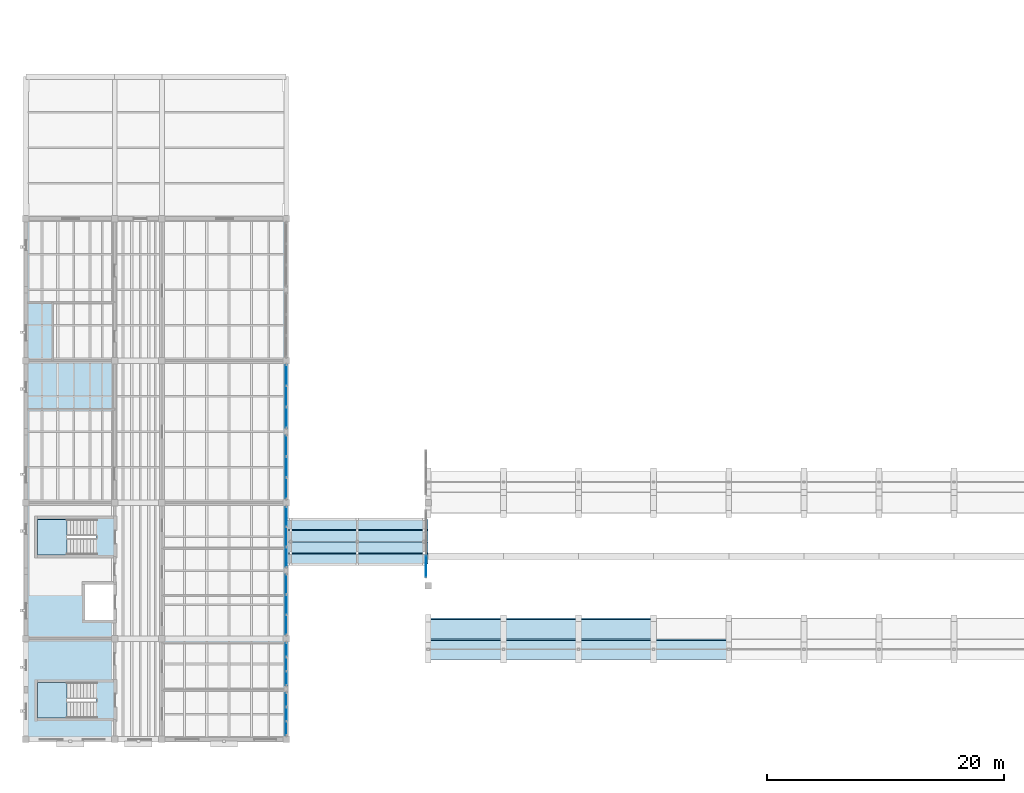
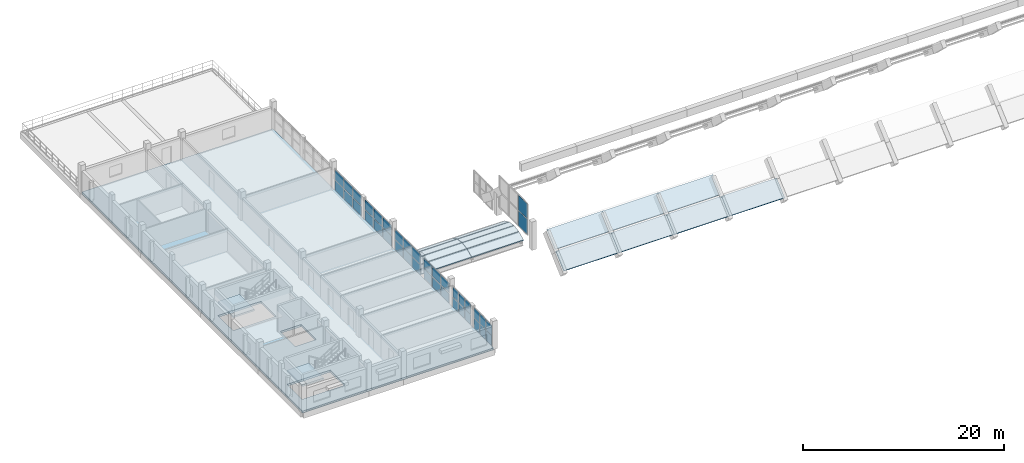
# One storey, part 23 of 48: 38 plates, 18 slabs, 9 elements without a shape of their own.
"""IFC4 building model written with IfcOpenShell, lengths in metres."""

from ifc_helpers import new_model, si_unit, direction, frame, origin, origin_2d, place, context, subcontext, project, spatial, polyline, rectangle, outline, extrude, material, layer, layer_set, type_object, element, aggregate, save


model = new_model("IFC4")

# Units and contexts
model_context = context("Model", 3, precision=1e-05, world=origin(), true_north=direction((0.0, 1.0)))
body_context = subcontext(model_context, "Body", "Model", "MODEL_VIEW")
ifc_project = project(units=[si_unit("LENGTHUNIT", "METRE"), si_unit("AREAUNIT", "SQUARE_METRE"), si_unit("VOLUMEUNIT", "CUBIC_METRE"), si_unit("PLANEANGLEUNIT", "RADIAN"), si_unit("MASSUNIT", "GRAM", prefix="KILO")], contexts=[model_context])

# Site, building, storey
site_placement = place(None, origin())
site = spatial("IfcSite", under=ifc_project, at=site_placement, CompositionType="ELEMENT")
building_placement = place(site_placement, origin())
building = spatial("IfcBuilding", under=site, at=building_placement, Name="Trellovar Central Fire Station", CompositionType="ELEMENT")
storey_placement = place(building_placement, frame((0.0, 0.0, 9.300048828125)))
storey = spatial("IfcBuildingStorey", under=building, at=storey_placement, Name="L03", CompositionType="ELEMENT", Elevation=9.300048828125)

# Curtain wall, plate
ifc_material_1 = material(Name="Thermally broken bronze anodized aluminum", Category="aluminium")
ifc_layer_1 = layer(ifc_material_1, 0.159912109375)
ifc_layer_set_1 = layer_set([ifc_layer_1], Name="Thermally broken bronze anodized aluminum")
curtain_wall_type_1 = type_object("IfcCurtainWallType", Name="CW-04", PredefinedType="NOTDEFINED", material=ifc_layer_set_1)
curtain_wall_1_placement = place(storey_placement, origin())
curtain_wall_1 = element("IfcCurtainWall", 1, at=curtain_wall_1_placement, inside=storey, type_object=curtain_wall_type_1, Name="V1 W ski-jump gable clerestory 2", PredefinedType="NOTDEFINED")
ifc_material_2 = material(Name="Double low-E solar control insulated glazing", Category="glass")
ifc_layer_2 = layer(ifc_material_2, 0.031982421875)
ifc_layer_set_2 = layer_set([ifc_layer_2], Name="Double low-E solar control insulated glazing")
plate_type_1 = type_object("IfcPlateType", Name="CWP-GL1", PredefinedType="CURTAIN_PANEL", material=ifc_layer_set_2)
plate_1_placement = place(storey_placement, frame((34.820068359375, 23.63330078125, 1.33984375), z_axis=(0.0, 0.0, 1.0), x_axis=(0.0, 1.0, 0.0)))
plate_1 = element("IfcPlate", 2, at=plate_1_placement, type_object=plate_type_1, Name="CW3-L03-0012 panel 1-1", PredefinedType="CURTAIN_PANEL", context=body_context, shape_type="SweptSolid", body=[
    extrude(rectangle(XDim=1.78662109375, YDim=0.031982421875, at=origin_2d()), origin(), (0.0, 0.0, 1.0), 1.820068359375),
])

ifc_material_3 = material(Name="Thermally broken bronze anodized aluminum", Category="aluminium")
ifc_layer_3 = layer(ifc_material_3, 0.159912109375)
ifc_layer_set_3 = layer_set([ifc_layer_3], Name="Thermally broken bronze anodized aluminum")
curtain_wall_type_2 = type_object("IfcCurtainWallType", Name="CW-01", PredefinedType="NOTDEFINED", material=ifc_layer_set_3)
curtain_wall_2_placement = place(storey_placement, origin())
curtain_wall_2 = element("IfcCurtainWall", 3, at=curtain_wall_2_placement, inside=storey, type_object=curtain_wall_type_2, Name="L03 curtain wall CW-1", PredefinedType="NOTDEFINED")
plate_2_placement = place(storey_placement, frame((23.0, 12.345703125, 1.31494140625), z_axis=(0.0, 0.0, 1.0), x_axis=(0.0, 1.0, 0.0)))
plate_2 = element("IfcPlate", 4, at=plate_2_placement, type_object=plate_type_1, Name="CW3-L03-0045 panel 3-2", PredefinedType="CURTAIN_PANEL", context=body_context, shape_type="SweptSolid", body=[
    extrude(rectangle(XDim=1.12841796875, YDim=0.031982421875, at=origin_2d()), origin(), (0.0, 0.0, 1.0), 1.195068359375),
])

curtain_wall_3_placement = place(storey_placement, origin())
curtain_wall_3 = element("IfcCurtainWall", 5, at=curtain_wall_3_placement, inside=storey, type_object=curtain_wall_type_2, Name="L03 curtain wall CW-1", PredefinedType="NOTDEFINED")
plate_3_placement = place(storey_placement, frame((23.0, 15.362548828125, 1.31494140625), z_axis=(0.0, 0.0, 1.0), x_axis=(0.0, 1.0, 0.0)))
plate_3 = element("IfcPlate", 6, at=plate_3_placement, type_object=plate_type_1, Name="CW3-L03-0046 panel 2-2", PredefinedType="CURTAIN_PANEL", context=body_context, shape_type="SweptSolid", body=[
    extrude(rectangle(XDim=1.12841796875, YDim=0.031982421875, at=origin_2d()), origin(), (0.0, 0.0, 1.0), 1.195068359375),
])

ifc_material_4 = material(Name="Thermally broken bronze anodized aluminum", Category="aluminium")
ifc_layer_4 = layer(ifc_material_4, 0.159912109375)
ifc_layer_set_4 = layer_set([ifc_layer_4], Name="Thermally broken bronze anodized aluminum")
curtain_wall_type_3 = type_object("IfcCurtainWallType", Name="CW-02", PredefinedType="NOTDEFINED", material=ifc_layer_set_4)
curtain_wall_4_placement = place(storey_placement, origin())
curtain_wall_4 = element("IfcCurtainWall", 7, at=curtain_wall_4_placement, inside=storey, type_object=curtain_wall_type_3, Name="L03 curtain wall CW-2", PredefinedType="NOTDEFINED")
plate_4_placement = place(storey_placement, frame((23.0, 18.67919921875, 1.31494140625), z_axis=(0.0, 0.0, 1.0), x_axis=(0.0, 1.0, 0.0)))
plate_4 = element("IfcPlate", 8, at=plate_4_placement, type_object=plate_type_1, Name="CW3-L03-0047 panel 1-2", PredefinedType="CURTAIN_PANEL", context=body_context, shape_type="SweptSolid", body=[
    extrude(rectangle(XDim=1.62841796875, YDim=0.031982421875, at=origin_2d()), origin(), (0.0, 0.0, 1.0), 1.195068359375),
])

curtain_wall_5_placement = place(storey_placement, origin())
curtain_wall_5 = element("IfcCurtainWall", 9, at=curtain_wall_5_placement, inside=storey, type_object=curtain_wall_type_3, Name="L03 curtain wall CW-2", PredefinedType="NOTDEFINED")
plate_5_placement = place(storey_placement, frame((23.0, 33.80419921875, 1.31494140625), z_axis=(0.0, 0.0, 1.0), x_axis=(0.0, 1.0, 0.0)))
plate_5 = element("IfcPlate", 10, at=plate_5_placement, type_object=plate_type_1, Name="CW3-L03-0049 panel 3-2", PredefinedType="CURTAIN_PANEL", context=body_context, shape_type="SweptSolid", body=[
    extrude(rectangle(XDim=1.711669921875, YDim=0.031982421875, at=origin_2d()), origin(), (0.0, 0.0, 1.0), 1.195068359375),
])

curtain_wall_6_placement = place(storey_placement, origin())
curtain_wall_6 = element("IfcCurtainWall", 11, at=curtain_wall_6_placement, inside=storey, type_object=curtain_wall_type_3, Name="L03 curtain wall CW-2", PredefinedType="NOTDEFINED")
plate_6_placement = place(storey_placement, frame((23.0, 37.987548828125, 1.31494140625), z_axis=(0.0, 0.0, 1.0), x_axis=(0.0, 1.0, 0.0)))
plate_6 = element("IfcPlate", 12, at=plate_6_placement, type_object=plate_type_1, Name="CW3-L03-0050 panel 2-2", PredefinedType="CURTAIN_PANEL", context=body_context, shape_type="SweptSolid", body=[
    extrude(rectangle(XDim=1.711669921875, YDim=0.031982421875, at=origin_2d()), origin(), (0.0, 0.0, 1.0), 1.195068359375),
])

# Plate
ifc_material_5 = material(Name="Double low-E solar control insulated glazing", Category="glass")
ifc_layer_5 = layer(ifc_material_5, 0.035888671875)
ifc_layer_set_5 = layer_set([ifc_layer_5], Name="Double low-E solar control insulated glazing")
plate_type_2 = type_object("IfcPlateType", Name="CWP-GL2", PredefinedType="CURTAIN_PANEL", material=ifc_layer_set_5)
plate_7_placement = place(storey_placement, frame((34.820068359375, 23.63330078125, 3.23974609375), z_axis=(0.0, 0.0, 1.0), x_axis=(0.0, 1.0, 0.0)))
plate_7 = element("IfcPlate", 13, at=plate_7_placement, type_object=plate_type_2, Name="CW3-L03-0012 panel 1-2", PredefinedType="CURTAIN_PANEL", context=body_context, shape_type="SweptSolid", body=[
    extrude(rectangle(XDim=1.78662109375, YDim=0.035888671875, at=origin_2d()), origin(), (0.0, 0.0, 1.0), 1.820068359375),
])

aggregate(curtain_wall_1, [plate_1, plate_7])

plate_8_placement = place(storey_placement, frame((23.0, 16.57080078125, 1.31494140625), z_axis=(0.0, 0.0, 1.0), x_axis=(0.0, 1.0, 0.0)))
plate_8 = element("IfcPlate", 14, at=plate_8_placement, type_object=plate_type_2, Name="CW3-L03-0046 panel 3-2", PredefinedType="CURTAIN_PANEL", context=body_context, shape_type="SweptSolid", body=[
    extrude(rectangle(XDim=1.12841796875, YDim=0.035888671875, at=origin_2d()), origin(), (0.0, 0.0, 1.0), 1.195068359375),
])

plate_9_placement = place(storey_placement, frame((23.0, 20.387451171875, 1.31494140625), z_axis=(0.0, 0.0, 1.0), x_axis=(0.0, 1.0, 0.0)))
plate_9 = element("IfcPlate", 15, at=plate_9_placement, type_object=plate_type_2, Name="CW3-L03-0047 panel 2-2", PredefinedType="CURTAIN_PANEL", context=body_context, shape_type="SweptSolid", body=[
    extrude(rectangle(XDim=1.62841796875, YDim=0.035888671875, at=origin_2d()), origin(), (0.0, 0.0, 1.0), 1.195068359375),
])

# Curtain wall, plate
curtain_wall_7_placement = place(storey_placement, origin())
curtain_wall_7 = element("IfcCurtainWall", 16, at=curtain_wall_7_placement, inside=storey, type_object=curtain_wall_type_3, Name="L03 curtain wall CW-2", PredefinedType="NOTDEFINED")
plate_10_placement = place(storey_placement, frame((23.0, 24.404296875, 1.31494140625), z_axis=(0.0, 0.0, 1.0), x_axis=(0.0, 1.0, 0.0)))
plate_10 = element("IfcPlate", 17, at=plate_10_placement, type_object=plate_type_2, Name="CW3-L03-0048 panel 1-2", PredefinedType="CURTAIN_PANEL", context=body_context, shape_type="SweptSolid", body=[
    extrude(rectangle(XDim=1.62841796875, YDim=0.035888671875, at=origin_2d()), origin(), (0.0, 0.0, 1.0), 1.195068359375),
])

# Plate
plate_11_placement = place(storey_placement, frame((23.0, 39.779052734375, 1.31494140625), z_axis=(0.0, 0.0, 1.0), x_axis=(0.0, 1.0, 0.0)))
plate_11 = element("IfcPlate", 18, at=plate_11_placement, type_object=plate_type_2, Name="CW3-L03-0050 panel 3-2", PredefinedType="CURTAIN_PANEL", context=body_context, shape_type="SweptSolid", body=[
    extrude(rectangle(XDim=1.711669921875, YDim=0.035888671875, at=origin_2d()), origin(), (0.0, 0.0, 1.0), 1.195068359375),
])

ifc_material_6 = material(Name="Double low-E solar control insulated glazing", Category="glass")
ifc_layer_6 = layer(ifc_material_6, 0.033935546875)
ifc_layer_set_6 = layer_set([ifc_layer_6], Name="Double low-E solar control insulated glazing")
plate_type_3 = type_object("IfcPlateType", Name="CWP-GL3", PredefinedType="CURTAIN_PANEL", material=ifc_layer_set_6)
plate_12_placement = place(storey_placement, frame((23.0, 9.92919921875, 1.31494140625), z_axis=(0.0, 0.0, 1.0), x_axis=(0.0, 1.0, 0.0)))
plate_12 = element("IfcPlate", 19, at=plate_12_placement, type_object=plate_type_3, Name="CW3-L03-0045 panel 1-2", PredefinedType="CURTAIN_PANEL", context=body_context, shape_type="SweptSolid", body=[
    extrude(rectangle(XDim=1.12841796875, YDim=0.033935546875, at=origin_2d()), origin(), (0.0, 0.0, 1.0), 1.195068359375),
])

plate_13_placement = place(storey_placement, frame((23.0, 22.095703125, 1.31494140625), z_axis=(0.0, 0.0, 1.0), x_axis=(0.0, 1.0, 0.0)))
plate_13 = element("IfcPlate", 20, at=plate_13_placement, type_object=plate_type_3, Name="CW3-L03-0047 panel 3-2", PredefinedType="CURTAIN_PANEL", context=body_context, shape_type="SweptSolid", body=[
    extrude(rectangle(XDim=1.62841796875, YDim=0.033935546875, at=origin_2d()), origin(), (0.0, 0.0, 1.0), 1.195068359375),
])

plate_14_placement = place(storey_placement, frame((23.0, 26.112548828125, 1.31494140625), z_axis=(0.0, 0.0, 1.0), x_axis=(0.0, 1.0, 0.0)))
plate_14 = element("IfcPlate", 21, at=plate_14_placement, type_object=plate_type_3, Name="CW3-L03-0048 panel 2-2", PredefinedType="CURTAIN_PANEL", context=body_context, shape_type="SweptSolid", body=[
    extrude(rectangle(XDim=1.62841796875, YDim=0.033935546875, at=origin_2d()), origin(), (0.0, 0.0, 1.0), 1.195068359375),
])

plate_15_placement = place(storey_placement, frame((23.0, 30.220703125, 1.31494140625), z_axis=(0.0, 0.0, 1.0), x_axis=(0.0, 1.0, 0.0)))
plate_15 = element("IfcPlate", 22, at=plate_15_placement, type_object=plate_type_3, Name="CW3-L03-0049 panel 1-2", PredefinedType="CURTAIN_PANEL", context=body_context, shape_type="SweptSolid", body=[
    extrude(rectangle(XDim=1.711669921875, YDim=0.033935546875, at=origin_2d()), origin(), (0.0, 0.0, 1.0), 1.195068359375),
])

ifc_material_7 = material(Name="Double low-E solar control insulated glazing", Category="glass")
ifc_layer_7 = layer(ifc_material_7, 0.030029296875)
ifc_layer_set_7 = layer_set([ifc_layer_7], Name="Double low-E solar control insulated glazing")
plate_type_4 = type_object("IfcPlateType", Name="CWP-GL4", PredefinedType="CURTAIN_PANEL", material=ifc_layer_set_7)
plate_16_placement = place(storey_placement, frame((23.0, 11.137451171875, 1.31494140625), z_axis=(0.0, 0.0, 1.0), x_axis=(0.0, 1.0, 0.0)))
plate_16 = element("IfcPlate", 23, at=plate_16_placement, type_object=plate_type_4, Name="CW3-L03-0045 panel 2-2", PredefinedType="CURTAIN_PANEL", context=body_context, shape_type="SweptSolid", body=[
    extrude(rectangle(XDim=1.12841796875, YDim=0.030029296875, at=origin_2d()), origin(), (0.0, 0.0, 1.0), 1.195068359375),
])

plate_17_placement = place(storey_placement, frame((23.0, 14.154296875, 1.31494140625), z_axis=(0.0, 0.0, 1.0), x_axis=(0.0, 1.0, 0.0)))
plate_17 = element("IfcPlate", 24, at=plate_17_placement, type_object=plate_type_4, Name="CW3-L03-0046 panel 1-2", PredefinedType="CURTAIN_PANEL", context=body_context, shape_type="SweptSolid", body=[
    extrude(rectangle(XDim=1.12841796875, YDim=0.030029296875, at=origin_2d()), origin(), (0.0, 0.0, 1.0), 1.195068359375),
])

plate_18_placement = place(storey_placement, frame((23.0, 27.82080078125, 1.31494140625), z_axis=(0.0, 0.0, 1.0), x_axis=(0.0, 1.0, 0.0)))
plate_18 = element("IfcPlate", 25, at=plate_18_placement, type_object=plate_type_4, Name="CW3-L03-0048 panel 3-2", PredefinedType="CURTAIN_PANEL", context=body_context, shape_type="SweptSolid", body=[
    extrude(rectangle(XDim=1.62841796875, YDim=0.030029296875, at=origin_2d()), origin(), (0.0, 0.0, 1.0), 1.195068359375),
])

plate_19_placement = place(storey_placement, frame((23.0, 32.012451171875, 1.31494140625), z_axis=(0.0, 0.0, 1.0), x_axis=(0.0, 1.0, 0.0)))
plate_19 = element("IfcPlate", 26, at=plate_19_placement, type_object=plate_type_4, Name="CW3-L03-0049 panel 2-2", PredefinedType="CURTAIN_PANEL", context=body_context, shape_type="SweptSolid", body=[
    extrude(rectangle(XDim=1.711669921875, YDim=0.030029296875, at=origin_2d()), origin(), (0.0, 0.0, 1.0), 1.195068359375),
])

plate_20_placement = place(storey_placement, frame((23.0, 36.19580078125, 1.31494140625), z_axis=(0.0, 0.0, 1.0), x_axis=(0.0, 1.0, 0.0)))
plate_20 = element("IfcPlate", 27, at=plate_20_placement, type_object=plate_type_4, Name="CW3-L03-0050 panel 1-2", PredefinedType="CURTAIN_PANEL", context=body_context, shape_type="SweptSolid", body=[
    extrude(rectangle(XDim=1.711669921875, YDim=0.030029296875, at=origin_2d()), origin(), (0.0, 0.0, 1.0), 1.195068359375),
])

ifc_material_8 = material(Name="Glazed ceramic trencadis and terracotta panel", Category="masonry")
ifc_layer_8 = layer(ifc_material_8, 0.048095703125)
ifc_layer_set_8 = layer_set([ifc_layer_8], Name="Glazed ceramic trencadis and terracotta panel")
plate_type_5 = type_object("IfcPlateType", Name="CWP-SP1", PredefinedType="CURTAIN_PANEL", material=ifc_layer_set_8)
plate_21_placement = place(storey_placement, frame((23.0, 11.137451171875, 0.0400390625), z_axis=(0.0, 0.0, 1.0), x_axis=(0.0, 1.0, 0.0)))
plate_21 = element("IfcPlate", 28, at=plate_21_placement, type_object=plate_type_5, Name="CW3-L03-0045 panel 2-1", PredefinedType="CURTAIN_PANEL", context=body_context, shape_type="SweptSolid", body=[
    extrude(rectangle(XDim=1.12841796875, YDim=0.048095703125, at=origin_2d()), origin(), (0.0, 0.0, 1.0), 1.195068359375),
])

plate_22_placement = place(storey_placement, frame((23.0, 14.154296875, 0.0400390625), z_axis=(0.0, 0.0, 1.0), x_axis=(0.0, 1.0, 0.0)))
plate_22 = element("IfcPlate", 29, at=plate_22_placement, type_object=plate_type_5, Name="CW3-L03-0046 panel 1-1", PredefinedType="CURTAIN_PANEL", context=body_context, shape_type="SweptSolid", body=[
    extrude(rectangle(XDim=1.12841796875, YDim=0.048095703125, at=origin_2d()), origin(), (0.0, 0.0, 1.0), 1.195068359375),
])

plate_23_placement = place(storey_placement, frame((23.0, 16.57080078125, 0.0400390625), z_axis=(0.0, 0.0, 1.0), x_axis=(0.0, 1.0, 0.0)))
plate_23 = element("IfcPlate", 30, at=plate_23_placement, type_object=plate_type_5, Name="CW3-L03-0046 panel 3-1", PredefinedType="CURTAIN_PANEL", context=body_context, shape_type="SweptSolid", body=[
    extrude(rectangle(XDim=1.12841796875, YDim=0.048095703125, at=origin_2d()), origin(), (0.0, 0.0, 1.0), 1.195068359375),
])

plate_24_placement = place(storey_placement, frame((23.0, 20.387451171875, 0.0400390625), z_axis=(0.0, 0.0, 1.0), x_axis=(0.0, 1.0, 0.0)))
plate_24 = element("IfcPlate", 31, at=plate_24_placement, type_object=plate_type_5, Name="CW3-L03-0047 panel 2-1", PredefinedType="CURTAIN_PANEL", context=body_context, shape_type="SweptSolid", body=[
    extrude(rectangle(XDim=1.62841796875, YDim=0.048095703125, at=origin_2d()), origin(), (0.0, 0.0, 1.0), 1.195068359375),
])

plate_25_placement = place(storey_placement, frame((23.0, 24.404296875, 0.0400390625), z_axis=(0.0, 0.0, 1.0), x_axis=(0.0, 1.0, 0.0)))
plate_25 = element("IfcPlate", 32, at=plate_25_placement, type_object=plate_type_5, Name="CW3-L03-0048 panel 1-1", PredefinedType="CURTAIN_PANEL", context=body_context, shape_type="SweptSolid", body=[
    extrude(rectangle(XDim=1.62841796875, YDim=0.048095703125, at=origin_2d()), origin(), (0.0, 0.0, 1.0), 1.195068359375),
])

plate_26_placement = place(storey_placement, frame((23.0, 27.82080078125, 0.0400390625), z_axis=(0.0, 0.0, 1.0), x_axis=(0.0, 1.0, 0.0)))
plate_26 = element("IfcPlate", 33, at=plate_26_placement, type_object=plate_type_5, Name="CW3-L03-0048 panel 3-1", PredefinedType="CURTAIN_PANEL", context=body_context, shape_type="SweptSolid", body=[
    extrude(rectangle(XDim=1.62841796875, YDim=0.048095703125, at=origin_2d()), origin(), (0.0, 0.0, 1.0), 1.195068359375),
])

plate_27_placement = place(storey_placement, frame((23.0, 32.012451171875, 0.0400390625), z_axis=(0.0, 0.0, 1.0), x_axis=(0.0, 1.0, 0.0)))
plate_27 = element("IfcPlate", 34, at=plate_27_placement, type_object=plate_type_5, Name="CW3-L03-0049 panel 2-1", PredefinedType="CURTAIN_PANEL", context=body_context, shape_type="SweptSolid", body=[
    extrude(rectangle(XDim=1.711669921875, YDim=0.048095703125, at=origin_2d()), origin(), (0.0, 0.0, 1.0), 1.195068359375),
])

plate_28_placement = place(storey_placement, frame((23.0, 36.19580078125, 0.0400390625), z_axis=(0.0, 0.0, 1.0), x_axis=(0.0, 1.0, 0.0)))
plate_28 = element("IfcPlate", 35, at=plate_28_placement, type_object=plate_type_5, Name="CW3-L03-0050 panel 1-1", PredefinedType="CURTAIN_PANEL", context=body_context, shape_type="SweptSolid", body=[
    extrude(rectangle(XDim=1.711669921875, YDim=0.048095703125, at=origin_2d()), origin(), (0.0, 0.0, 1.0), 1.195068359375),
])

plate_29_placement = place(storey_placement, frame((23.0, 39.779052734375, 0.0400390625), z_axis=(0.0, 0.0, 1.0), x_axis=(0.0, 1.0, 0.0)))
plate_29 = element("IfcPlate", 36, at=plate_29_placement, type_object=plate_type_5, Name="CW3-L03-0050 panel 3-1", PredefinedType="CURTAIN_PANEL", context=body_context, shape_type="SweptSolid", body=[
    extrude(rectangle(XDim=1.711669921875, YDim=0.048095703125, at=origin_2d()), origin(), (0.0, 0.0, 1.0), 1.195068359375),
])

ifc_material_9 = material(Name="Glazed ceramic trencadis and terracotta panel", Category="masonry")
ifc_layer_9 = layer(ifc_material_9, 0.044921875)
ifc_layer_set_9 = layer_set([ifc_layer_9], Name="Glazed ceramic trencadis and terracotta panel")
plate_type_6 = type_object("IfcPlateType", Name="CWP-SP2", PredefinedType="CURTAIN_PANEL", material=ifc_layer_set_9)
plate_30_placement = place(storey_placement, frame((23.0, 9.92919921875, 0.0400390625), z_axis=(0.0, 0.0, 1.0), x_axis=(0.0, 1.0, 0.0)))
plate_30 = element("IfcPlate", 37, at=plate_30_placement, type_object=plate_type_6, Name="CW3-L03-0045 panel 1-1", PredefinedType="CURTAIN_PANEL", context=body_context, shape_type="SweptSolid", body=[
    extrude(rectangle(XDim=1.12841796875, YDim=0.044921875, at=origin_2d()), origin(), (0.0, 0.0, 1.0), 1.195068359375),
])

plate_31_placement = place(storey_placement, frame((23.0, 12.345703125, 0.0400390625), z_axis=(0.0, 0.0, 1.0), x_axis=(0.0, 1.0, 0.0)))
plate_31 = element("IfcPlate", 38, at=plate_31_placement, type_object=plate_type_6, Name="CW3-L03-0045 panel 3-1", PredefinedType="CURTAIN_PANEL", context=body_context, shape_type="SweptSolid", body=[
    extrude(rectangle(XDim=1.12841796875, YDim=0.044921875, at=origin_2d()), origin(), (0.0, 0.0, 1.0), 1.195068359375),
])

aggregate(curtain_wall_2, [plate_30, plate_12, plate_21, plate_16, plate_31, plate_2])

plate_32_placement = place(storey_placement, frame((23.0, 15.362548828125, 0.0400390625), z_axis=(0.0, 0.0, 1.0), x_axis=(0.0, 1.0, 0.0)))
plate_32 = element("IfcPlate", 39, at=plate_32_placement, type_object=plate_type_6, Name="CW3-L03-0046 panel 2-1", PredefinedType="CURTAIN_PANEL", context=body_context, shape_type="SweptSolid", body=[
    extrude(rectangle(XDim=1.12841796875, YDim=0.044921875, at=origin_2d()), origin(), (0.0, 0.0, 1.0), 1.195068359375),
])

aggregate(curtain_wall_3, [plate_22, plate_17, plate_32, plate_3, plate_23, plate_8])

plate_33_placement = place(storey_placement, frame((23.0, 18.67919921875, 0.0400390625), z_axis=(0.0, 0.0, 1.0), x_axis=(0.0, 1.0, 0.0)))
plate_33 = element("IfcPlate", 40, at=plate_33_placement, type_object=plate_type_6, Name="CW3-L03-0047 panel 1-1", PredefinedType="CURTAIN_PANEL", context=body_context, shape_type="SweptSolid", body=[
    extrude(rectangle(XDim=1.62841796875, YDim=0.044921875, at=origin_2d()), origin(), (0.0, 0.0, 1.0), 1.195068359375),
])

plate_34_placement = place(storey_placement, frame((23.0, 22.095703125, 0.0400390625), z_axis=(0.0, 0.0, 1.0), x_axis=(0.0, 1.0, 0.0)))
plate_34 = element("IfcPlate", 41, at=plate_34_placement, type_object=plate_type_6, Name="CW3-L03-0047 panel 3-1", PredefinedType="CURTAIN_PANEL", context=body_context, shape_type="SweptSolid", body=[
    extrude(rectangle(XDim=1.62841796875, YDim=0.044921875, at=origin_2d()), origin(), (0.0, 0.0, 1.0), 1.195068359375),
])

aggregate(curtain_wall_4, [plate_33, plate_4, plate_24, plate_9, plate_34, plate_13])

plate_35_placement = place(storey_placement, frame((23.0, 26.112548828125, 0.0400390625), z_axis=(0.0, 0.0, 1.0), x_axis=(0.0, 1.0, 0.0)))
plate_35 = element("IfcPlate", 42, at=plate_35_placement, type_object=plate_type_6, Name="CW3-L03-0048 panel 2-1", PredefinedType="CURTAIN_PANEL", context=body_context, shape_type="SweptSolid", body=[
    extrude(rectangle(XDim=1.62841796875, YDim=0.044921875, at=origin_2d()), origin(), (0.0, 0.0, 1.0), 1.195068359375),
])

aggregate(curtain_wall_7, [plate_25, plate_10, plate_35, plate_14, plate_26, plate_18])

plate_36_placement = place(storey_placement, frame((23.0, 30.220703125, 0.0400390625), z_axis=(0.0, 0.0, 1.0), x_axis=(0.0, 1.0, 0.0)))
plate_36 = element("IfcPlate", 43, at=plate_36_placement, type_object=plate_type_6, Name="CW3-L03-0049 panel 1-1", PredefinedType="CURTAIN_PANEL", context=body_context, shape_type="SweptSolid", body=[
    extrude(rectangle(XDim=1.711669921875, YDim=0.044921875, at=origin_2d()), origin(), (0.0, 0.0, 1.0), 1.195068359375),
])

plate_37_placement = place(storey_placement, frame((23.0, 33.80419921875, 0.0400390625), z_axis=(0.0, 0.0, 1.0), x_axis=(0.0, 1.0, 0.0)))
plate_37 = element("IfcPlate", 44, at=plate_37_placement, type_object=plate_type_6, Name="CW3-L03-0049 panel 3-1", PredefinedType="CURTAIN_PANEL", context=body_context, shape_type="SweptSolid", body=[
    extrude(rectangle(XDim=1.711669921875, YDim=0.044921875, at=origin_2d()), origin(), (0.0, 0.0, 1.0), 1.195068359375),
])

aggregate(curtain_wall_5, [plate_36, plate_15, plate_27, plate_19, plate_37, plate_5])

plate_38_placement = place(storey_placement, frame((23.0, 37.987548828125, 0.0400390625), z_axis=(0.0, 0.0, 1.0), x_axis=(0.0, 1.0, 0.0)))
plate_38 = element("IfcPlate", 45, at=plate_38_placement, type_object=plate_type_6, Name="CW3-L03-0050 panel 2-1", PredefinedType="CURTAIN_PANEL", context=body_context, shape_type="SweptSolid", body=[
    extrude(rectangle(XDim=1.711669921875, YDim=0.044921875, at=origin_2d()), origin(), (0.0, 0.0, 1.0), 1.195068359375),
])

aggregate(curtain_wall_6, [plate_28, plate_20, plate_38, plate_6, plate_29, plate_11])

# Slabs
ifc_material_10 = material(Name="Concrete C40/50", Category="concrete")
ifc_layer_10 = layer(ifc_material_10, 0.159912109375)
ifc_layer_set_10 = layer_set([ifc_layer_10], Name="Concrete C40/50")
slab_type_1 = type_object("IfcSlabType", Name="SLB-CAN160", PredefinedType="ROOF", material=ifc_layer_set_10)
slab_1_placement = place(storey_placement, frame((23.02001953125, 23.802001953125, -0.049072265625), z_axis=(0.0, -0.427999864827, 0.903778797996), x_axis=(1.0, 0.0, 0.0)))
element("IfcSlab", 46, at=slab_1_placement, inside=storey, type_object=slab_type_1, Name="Cloister skybridge Catalan barrel vault 1-1", PredefinedType="ROOF", context=body_context, shape_type="SweptSolid", body=[
    extrude(outline(polyline([(0.0, 0.0), (5.97998046875, 0.0), (5.97998046875, 0.9708585864099406), (0.0, 0.9708585864099406), (0.0, 0.0)])), origin(), (0.0, 0.0, -1.0), 0.159912109375),
])
slab_2_placement = place(storey_placement, frame((23.02001953125, 24.751953125, 0.400146484375), z_axis=(0.0, -0.156029790734, 0.987752349733), x_axis=(1.0, 0.0, 0.0)))
element("IfcSlab", 47, at=slab_2_placement, inside=storey, type_object=slab_type_1, Name="Cloister skybridge Catalan barrel vault 1-2", PredefinedType="ROOF", context=body_context, shape_type="SweptSolid", body=[
    extrude(outline(polyline([(0.0, 0.0), (5.97998046875, 0.0), (5.97998046875, 0.9325642995168252), (0.0, 0.9325642995168252), (0.0, 0.0)])), origin(), (0.0, 0.0, -1.0), 0.159912109375),
])
slab_3_placement = place(storey_placement, frame((23.02001953125, 25.72705078125, 0.545654296875), z_axis=(0.0, 0.156070148562, 0.987745973785), x_axis=(1.0, 0.0, 0.0)))
element("IfcSlab", 48, at=slab_3_placement, inside=storey, type_object=slab_type_1, Name="Cloister skybridge Catalan barrel vault 1-3", PredefinedType="ROOF", context=body_context, shape_type="SweptSolid", body=[
    extrude(outline(polyline([(0.0, 0.0), (5.97998046875, 0.0), (5.97998046875, 0.9323231498190295), (0.0, 0.9323231498190295), (0.0, 0.0)])), origin(), (0.0, 0.0, -1.0), 0.159912109375),
])
for number, where, z_axis, x_axis, name in (
    (49, (23.02001953125, 26.720458984375, 0.366455078125), (0.0, 0.427999864827, 0.903778797996), (1.0, 0.0, 0.0), "Cloister skybridge Catalan barrel vault 1-4"),
    (50, (29.0, 23.802001953125, -0.049072265625), (0.0, -0.427999864827, 0.903778797996), (1.0, 0.0, 0.0), "Cloister skybridge Catalan barrel vault 2-1"),
):
    element("IfcSlab", number, at=place(storey_placement, frame(where, z_axis=z_axis, x_axis=x_axis)), inside=storey, type_object=slab_type_1, Name=name, PredefinedType="ROOF", context=body_context, shape_type="SweptSolid", body=[
        extrude(outline(polyline([(0.0, 0.0), (5.97998046875, 0.0), (5.97998046875, 0.9708585864099406), (0.0, 0.9708585864099406), (0.0, 0.0)])), origin(), (0.0, 0.0, -1.0), 0.159912109375),
    ])
slab_4_placement = place(storey_placement, frame((29.0, 24.751953125, 0.400146484375), z_axis=(0.0, -0.156029790734, 0.987752349733), x_axis=(1.0, 0.0, 0.0)))
element("IfcSlab", 51, at=slab_4_placement, inside=storey, type_object=slab_type_1, Name="Cloister skybridge Catalan barrel vault 2-2", PredefinedType="ROOF", context=body_context, shape_type="SweptSolid", body=[
    extrude(outline(polyline([(0.0, 0.0), (5.97998046875, 0.0), (5.97998046875, 0.9325642995168252), (0.0, 0.9325642995168252), (0.0, 0.0)])), origin(), (0.0, 0.0, -1.0), 0.159912109375),
])
slab_5_placement = place(storey_placement, frame((29.0, 25.72705078125, 0.545654296875), z_axis=(0.0, 0.156070148562, 0.987745973785), x_axis=(1.0, 0.0, 0.0)))
element("IfcSlab", 52, at=slab_5_placement, inside=storey, type_object=slab_type_1, Name="Cloister skybridge Catalan barrel vault 2-3", PredefinedType="ROOF", context=body_context, shape_type="SweptSolid", body=[
    extrude(outline(polyline([(0.0, 0.0), (5.97998046875, 0.0), (5.97998046875, 0.9323231498190295), (0.0, 0.9323231498190295), (0.0, 0.0)])), origin(), (0.0, 0.0, -1.0), 0.159912109375),
])
slab_6_placement = place(storey_placement, frame((29.0, 26.720458984375, 0.366455078125), z_axis=(0.0, 0.427999864827, 0.903778797996), x_axis=(1.0, 0.0, 0.0)))
element("IfcSlab", 53, at=slab_6_placement, inside=storey, type_object=slab_type_1, Name="Cloister skybridge Catalan barrel vault 2-4", PredefinedType="ROOF", context=body_context, shape_type="SweptSolid", body=[
    extrude(outline(polyline([(0.0, 0.0), (5.97998046875, 0.0), (5.97998046875, 0.9708585864099406), (0.0, 0.9708585864099406), (0.0, 0.0)])), origin(), (0.0, 0.0, -1.0), 0.159912109375),
])
ifc_material_11 = material(Name="Concrete C40/50", Category="concrete")
ifc_layer_11 = layer(ifc_material_11, 0.25)
ifc_layer_set_11 = layer_set([ifc_layer_11], Name="Concrete C40/50")
slab_type_2 = type_object("IfcSlabType", Name="SLB-FL250", PredefinedType="FLOOR", material=ifc_layer_set_11)
slab_7_placement = place(storey_placement, frame((0.0, 0.0, -0.25)))
element("IfcSlab", 54, at=slab_7_placement, inside=storey, type_object=slab_type_2, Name="V4 L03 structural floor slab", PredefinedType="FLOOR", context=body_context, shape_type="SweptSolid", body=[
    extrude(outline(polyline([(1.0, 9.0), (23.0, 9.0), (23.0, 53.0), (1.0, 53.0), (1.0, 9.0)]), holes=[polyline([(6.93994140625, 13.800048828125), (2.0, 13.800048828125), (2.0, 10.800048828125), (6.93994140625, 10.800048828125), (6.93994140625, 13.800048828125)]), polyline([(6.93994140625, 27.60009765625), (2.0, 27.60009765625), (2.0, 24.60009765625), (6.93994140625, 24.60009765625), (6.93994140625, 27.60009765625)]), polyline([(6.0, 19.10009765625), (8.39990234375, 19.10009765625), (8.39990234375, 22.10009765625), (6.0, 22.10009765625), (6.0, 19.10009765625)])]), origin(), (0.0, 0.0, 1.0), 0.25),
])

# Stair, slab
ifc_material_12 = material(Name="Concrete C40/50", Category="concrete")
stair_type = type_object("IfcStairType", Name="ST-R1725", PredefinedType="HALF_TURN_STAIR", material=ifc_material_12)
stair_1_placement = place(storey_placement, origin())
stair_1 = element("IfcStair", 55, at=stair_1_placement, inside=storey, type_object=stair_type, Name="L03 Protected exit stair ST-03", PredefinedType="HALF_TURN_STAIR")
ifc_material_13 = material(Name="Concrete C40/50", Category="concrete")
ifc_layer_12 = layer(ifc_material_13, 0.199951171875)
ifc_layer_set_12 = layer_set([ifc_layer_12], Name="Concrete C40/50")
slab_type_3 = type_object("IfcSlabType", Name="SLB-LND", PredefinedType="LANDING", material=ifc_layer_set_12)
slab_8_placement = place(storey_placement, frame((0.0, 0.0, 1.52490234375)))
slab_8 = element("IfcSlab", 56, at=slab_8_placement, type_object=slab_type_3, Name="ST-03 landing 1", PredefinedType="LANDING", context=body_context, shape_type="SweptSolid", body=[
    extrude(outline(polyline([(4.47998046875, 13.800048828125), (2.0, 13.800048828125), (2.0, 10.800048828125), (4.47998046875, 10.800048828125), (4.47998046875, 13.800048828125)])), origin(), (0.0, 0.0, 1.0), 0.199951171875),
])
aggregate(stair_1, [slab_8])

stair_2_placement = place(storey_placement, origin())
stair_2 = element("IfcStair", 57, at=stair_2_placement, inside=storey, type_object=stair_type, Name="L03 Protected exit stair ST-04", PredefinedType="HALF_TURN_STAIR")
slab_9_placement = place(storey_placement, frame((0.0, 0.0, 1.52490234375)))
slab_9 = element("IfcSlab", 58, at=slab_9_placement, type_object=slab_type_3, Name="ST-04 landing 1", PredefinedType="LANDING", context=body_context, shape_type="SweptSolid", body=[
    extrude(outline(polyline([(4.47998046875, 27.60009765625), (2.0, 27.60009765625), (2.0, 24.60009765625), (4.47998046875, 24.60009765625), (4.47998046875, 27.60009765625)])), origin(), (0.0, 0.0, 1.0), 0.199951171875),
])
aggregate(stair_2, [slab_9])

# Slabs
ifc_material_14 = material(Name="Concrete C40/50", Category="concrete")
ifc_layer_13 = layer(ifc_material_14, 0.179931640625)
ifc_layer_set_13 = layer_set([ifc_layer_13], Name="Concrete C40/50")
slab_type_4 = type_object("IfcSlabType", Name="SLB-VLT180", PredefinedType="ROOF", material=ifc_layer_set_13)
slab_10_placement = place(storey_placement, frame((35.0, 15.748779296875, 1.068359375), z_axis=(0.0, -0.667756994098, 0.744379336651), x_axis=(1.0, 0.0, 0.0)))
element("IfcSlab", 59, at=slab_10_placement, inside=storey, type_object=slab_type_4, Name="Catalan ski-jump vault strip V1-01-02", PredefinedType="ROOF", context=body_context, shape_type="SweptSolid", body=[
    extrude(outline(polyline([(0.0, 0.0), (6.35009765625, 0.0), (6.35009765625, 2.179418977994399), (0.0, 2.179418977994399), (0.0, 0.0)])), origin(), (0.0, 0.0, -1.0), 0.179931640625),
])
slab_11_placement = place(storey_placement, frame((35.0, 17.495361328125, 2.635009765625), z_axis=(0.0, -0.667701315225, 0.744429280487), x_axis=(1.0, 0.0, 0.0)))
element("IfcSlab", 60, at=slab_11_placement, inside=storey, type_object=slab_type_4, Name="Catalan ski-jump vault strip V1-01-03", PredefinedType="ROOF", context=body_context, shape_type="SweptSolid", body=[
    extrude(outline(polyline([(0.0, 0.0), (6.35009765625, 0.0), (6.35009765625, 2.1796007173278), (0.0, 2.1796007173278), (0.0, 0.0)])), origin(), (0.0, 0.0, -1.0), 0.179931640625),
])
slab_12_placement = place(storey_placement, frame((41.35009765625, 15.748779296875, 1.068359375), z_axis=(0.0, -0.667756994098, 0.744379336651), x_axis=(1.0, 0.0, 0.0)))
element("IfcSlab", 61, at=slab_12_placement, inside=storey, type_object=slab_type_4, Name="Catalan ski-jump vault strip V1-02-02", PredefinedType="ROOF", context=body_context, shape_type="SweptSolid", body=[
    extrude(outline(polyline([(0.0, 0.0), (6.349853515625, 0.0), (6.349853515625, 2.1794189779943993), (0.0, 2.1794189779943993), (0.0, 0.0)])), origin(), (0.0, 0.0, -1.0), 0.179931640625),
])
slab_13_placement = place(storey_placement, frame((41.35009765625, 17.495361328125, 2.635009765625), z_axis=(0.0, -0.667701315225, 0.744429280487), x_axis=(1.0, 0.0, 0.0)))
element("IfcSlab", 62, at=slab_13_placement, inside=storey, type_object=slab_type_4, Name="Catalan ski-jump vault strip V1-02-03", PredefinedType="ROOF", context=body_context, shape_type="SweptSolid", body=[
    extrude(outline(polyline([(0.0, 0.0), (6.349853515625, 0.0), (6.349853515625, 2.1796007173278), (0.0, 2.1796007173278), (0.0, 0.0)])), origin(), (0.0, 0.0, -1.0), 0.179931640625),
])
slab_14_placement = place(storey_placement, frame((47.699951171875, 15.748779296875, 1.068359375), z_axis=(0.0, -0.667756994098, 0.744379336651), x_axis=(1.0, 0.0, 0.0)))
element("IfcSlab", 63, at=slab_14_placement, inside=storey, type_object=slab_type_4, Name="Catalan ski-jump vault strip V1-03-02", PredefinedType="ROOF", context=body_context, shape_type="SweptSolid", body=[
    extrude(outline(polyline([(0.0, 0.0), (6.35009765625, 0.0), (6.35009765625, 2.179418977994399), (0.0, 2.179418977994399), (0.0, 0.0)])), origin(), (0.0, 0.0, -1.0), 0.179931640625),
])
slab_15_placement = place(storey_placement, frame((47.699951171875, 17.495361328125, 2.635009765625), z_axis=(0.0, -0.667701315225, 0.744429280487), x_axis=(1.0, 0.0, 0.0)))
element("IfcSlab", 64, at=slab_15_placement, inside=storey, type_object=slab_type_4, Name="Catalan ski-jump vault strip V1-03-03", PredefinedType="ROOF", context=body_context, shape_type="SweptSolid", body=[
    extrude(outline(polyline([(0.0, 0.0), (6.35009765625, 0.0), (6.35009765625, 2.1796007173278), (0.0, 2.1796007173278), (0.0, 0.0)])), origin(), (0.0, 0.0, -1.0), 0.179931640625),
])
slab_16_placement = place(storey_placement, frame((54.050048828125, 15.748779296875, 1.068359375), z_axis=(0.0, -0.667756994098, 0.744379336651), x_axis=(1.0, 0.0, 0.0)))
element("IfcSlab", 65, at=slab_16_placement, inside=storey, type_object=slab_type_4, Name="Catalan ski-jump vault strip V1-04-02", PredefinedType="ROOF", context=body_context, shape_type="SweptSolid", body=[
    extrude(outline(polyline([(0.0, 0.0), (6.349853515625, 0.0), (6.349853515625, 2.1794189779943993), (0.0, 2.1794189779943993), (0.0, 0.0)])), origin(), (0.0, 0.0, -1.0), 0.179931640625),
])

save(model, "model.ifc")
